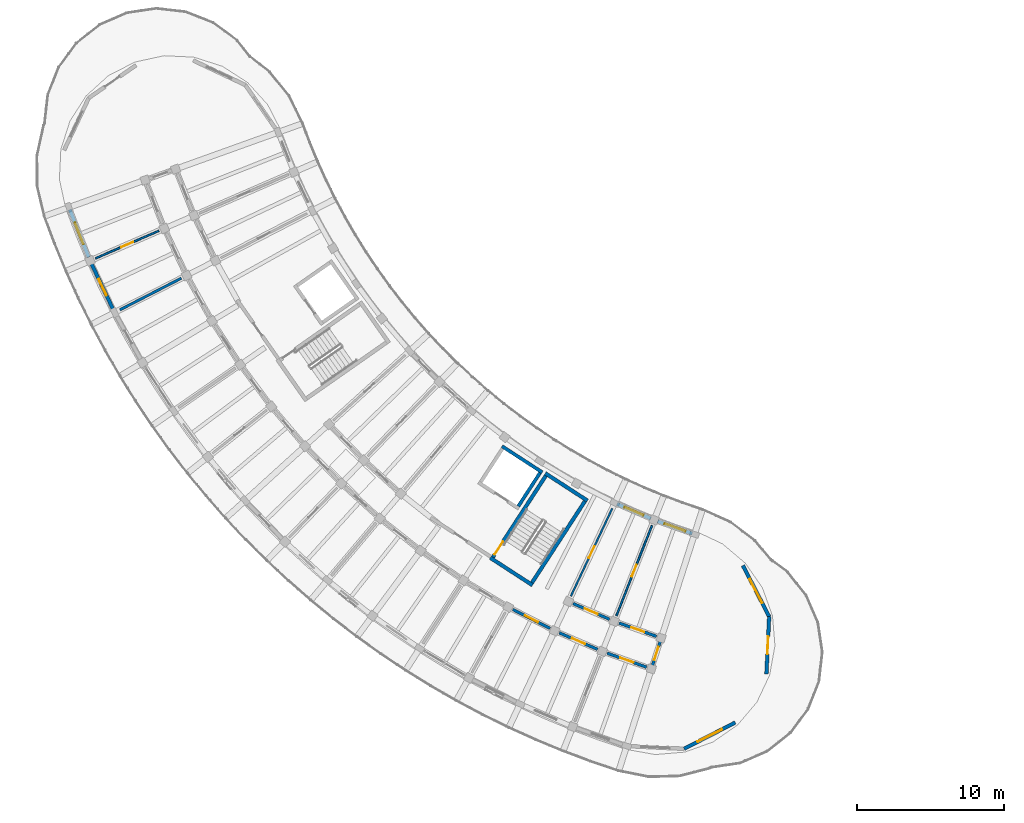
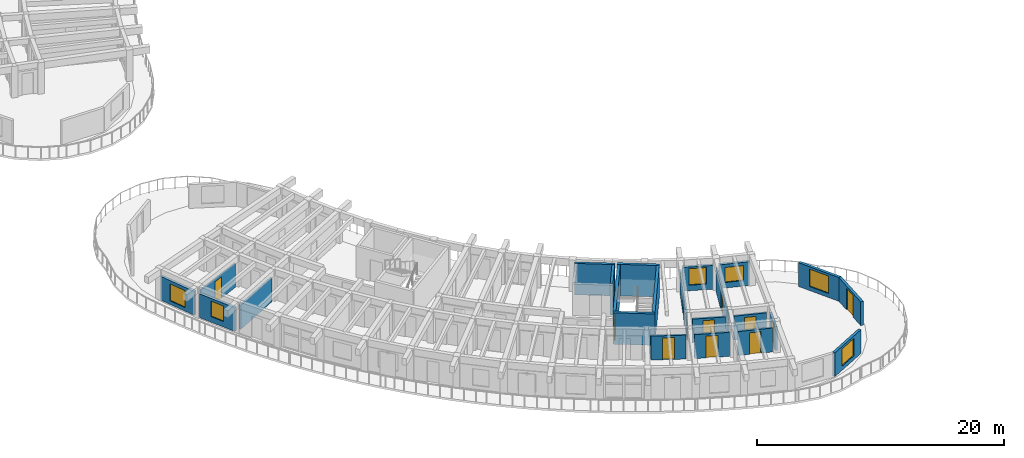
# One storey, part 39 of 78: 23 walls, 11 doors, 6 windows, 17 openings.
"""IFC4 building model written with IfcOpenShell, lengths in metres."""

from ifc_helpers import new_model, si_unit, direction, frame, frame_2d, origin, place, context, subcontext, project, spatial, rectangle, extrude, material, layer, layer_set, type_object, element, fill, save


model = new_model("IFC4")

# Units and contexts
model_context = context("Model", 3, precision=1e-05, world=origin(), true_north=direction((0.0, 1.0)))
body_context = subcontext(model_context, "Body", "Model", "MODEL_VIEW")
ifc_project = project(units=[si_unit("LENGTHUNIT", "METRE"), si_unit("AREAUNIT", "SQUARE_METRE"), si_unit("VOLUMEUNIT", "CUBIC_METRE"), si_unit("PLANEANGLEUNIT", "RADIAN"), si_unit("MASSUNIT", "GRAM", prefix="KILO")], contexts=[model_context])

# Site, building, storey
site_placement = place(None, origin())
site = spatial("IfcSite", under=ifc_project, at=site_placement, CompositionType="ELEMENT")
building_placement = place(site_placement, origin())
building = spatial("IfcBuilding", under=site, at=building_placement, Name="Tanwirah Colonnade Gardens", CompositionType="ELEMENT")
storey_placement = place(building_placement, frame((0.0, 0.0, 22.280029296875)))
storey = spatial("IfcBuildingStorey", under=building, at=storey_placement, Name="L06", CompositionType="ELEMENT", Elevation=22.280029296875)

# Wall, opening, window
ifc_material_1 = material(Name="Limestone architectural precast concrete C40/50", Category="masonry")
ifc_layer_1 = layer(ifc_material_1, 0.2451171875)
ifc_layer_set_1 = layer_set([ifc_layer_1], Name="Limestone architectural precast concrete C40/50")
wall_type_1 = type_object("IfcWallType", Name="EW-PC245", PredefinedType="SOLIDWALL", material=ifc_layer_set_1)
wall_1_placement = place(storey_placement, frame((9.011962890625, 44.228271484375, 0.0), z_axis=(0.0, 0.0, 1.0), x_axis=(0.368503667074, -0.929626294461, 0.0)))
wall_1 = element("IfcWall", 1, at=wall_1_placement, inside=storey, type_object=wall_type_1, Name="Block C L06 OUT Precast Facade Wall 1", PredefinedType="SOLIDWALL", context=body_context, shape_type="SweptSolid", body=[
    extrude(rectangle(XDim=3.48681640625, YDim=0.2451171875, at=frame_2d((1.743408203125, 0.0))), origin(), (0.0, 0.0, 1.0), 2.35498046875),
])
opening_1_placement = place(wall_1_placement, frame((0.953369140625, 0.0, 0.35009765625)))
opening_1 = element("IfcOpeningElement", 2, at=opening_1_placement, cuts=wall_1, Name="Opening WIN-T20", PredefinedType="OPENING", context=body_context, shape_type="SweptSolid", body=[
    extrude(rectangle(XDim=1.580078125, YDim=1.679931640625, at=frame_2d((0.7900390625, 0.83984375))), frame((0.0, 0.132568359375, 0.0), z_axis=(0.0, -1.0, 0.0), x_axis=(1.0, 0.0, 0.0)), (0.0, 0.0, 1.0), 0.26513671875),
])
ifc_material_2 = material(Name="Thermally broken bronze aluminium and solar low-E double glazing", Category="aluminium")
window_type_1 = type_object("IfcWindowType", Name="WIN-T20", PartitioningType="DOUBLE_PANEL_VERTICAL", PredefinedType="WINDOW", material=ifc_material_2)
window_1_placement = place(opening_1_placement, origin())
window_1 = element("IfcWindow", 3, at=window_1_placement, inside=storey, type_object=window_type_1, Name="Facade window C-L06-OUT-01", OverallHeight=1.679931640625, OverallWidth=1.580078125, PartitioningType="SINGLE_PANEL", PredefinedType="WINDOW", context=body_context, shape_type="SweptSolid", body=[
    extrude(rectangle(XDim=1.580078125, YDim=1.679931640625, at=frame_2d((0.7900390625, 0.83984375))), frame((0.0, 0.030029296875, 0.0), z_axis=(0.0, -1.0, 0.0), x_axis=(1.0, 0.0, 0.0)), (0.0, 0.0, 1.0), 0.06005859375),
])
fill(opening_1, window_1)

wall_2_placement = place(storey_placement, frame((10.49609375, 40.528564453125, 0.0), z_axis=(0.0, 0.0, 1.0), x_axis=(0.428576879122, -0.903505317462, 0.0)))
wall_2 = element("IfcWall", 4, at=wall_2_placement, inside=storey, type_object=wall_type_1, Name="Block C L06 OUT Precast Facade Wall 2", PredefinedType="SOLIDWALL", context=body_context, shape_type="SweptSolid", body=[
    extrude(rectangle(XDim=3.48681640625, YDim=0.2451171875, at=frame_2d((1.743408203125, 0.0))), origin(), (0.0, 0.0, 1.0), 2.35498046875),
])
opening_2_placement = place(wall_2_placement, frame((1.123291015625, 0.0, 0.550048828125)))
opening_2 = element("IfcOpeningElement", 5, at=opening_2_placement, cuts=wall_2, Name="Opening WIN-U03", PredefinedType="OPENING", context=body_context, shape_type="SweptSolid", body=[
    extrude(rectangle(XDim=1.239990234375, YDim=1.534912109375, at=frame_2d((0.6201171875, 0.767578125))), frame((0.0, 0.132568359375, 0.0), z_axis=(0.0, -1.0, 0.0), x_axis=(1.0, 0.0, 0.0)), (0.0, 0.0, 1.0), 0.26513671875),
])
window_type_2 = type_object("IfcWindowType", Name="WIN-U03", PartitioningType="DOUBLE_PANEL_VERTICAL", PredefinedType="WINDOW", material=ifc_material_2)
window_2_placement = place(opening_2_placement, origin())
window_2 = element("IfcWindow", 6, at=window_2_placement, inside=storey, type_object=window_type_2, Name="Facade window C-L06-OUT-02", OverallHeight=1.534912109375, OverallWidth=1.239990234375, PartitioningType="SINGLE_PANEL", PredefinedType="WINDOW", context=body_context, shape_type="SweptSolid", body=[
    extrude(rectangle(XDim=1.239990234375, YDim=1.534912109375, at=frame_2d((0.6201171875, 0.767578125))), frame((0.0, 0.030029296875, 0.0), z_axis=(0.0, -1.0, 0.0), x_axis=(1.0, 0.0, 0.0)), (0.0, 0.0, 1.0), 0.06005859375),
])
fill(opening_2, window_2)

wall_3_placement = place(storey_placement, frame((46.185791015625, 24.2333984375, 0.0), z_axis=(0.0, 0.0, 1.0), x_axis=(0.91795321239, -0.396688668686, 0.0)))
wall_3 = element("IfcWall", 7, at=wall_3_placement, inside=storey, type_object=wall_type_1, Name="Block C L06 IN Precast Facade Wall 13", PredefinedType="SOLIDWALL", context=body_context, shape_type="SweptSolid", body=[
    extrude(rectangle(XDim=2.498779296875, YDim=0.2451171875, at=frame_2d((1.24951171875, 0.0))), origin(), (0.0, 0.0, 1.0), 2.35498046875),
])
opening_3_placement = place(wall_3_placement, frame((0.54931640625, 0.0, 0.550048828125)))
opening_3 = element("IfcOpeningElement", 8, at=opening_3_placement, cuts=wall_3, Name="Opening WIN-U07", PredefinedType="OPENING", context=body_context, shape_type="SweptSolid", body=[
    extrude(rectangle(XDim=1.39990234375, YDim=1.635009765625, at=frame_2d((0.699951171875, 0.8173828125))), frame((0.0, 0.132568359375, 0.0), z_axis=(0.0, -1.0, 0.0), x_axis=(1.0, 0.0, 0.0)), (0.0, 0.0, 1.0), 0.26513671875),
])
window_type_3 = type_object("IfcWindowType", Name="WIN-U07", PartitioningType="DOUBLE_PANEL_VERTICAL", PredefinedType="WINDOW", material=ifc_material_2)
window_3_placement = place(opening_3_placement, origin())
window_3 = element("IfcWindow", 9, at=window_3_placement, inside=storey, type_object=window_type_3, Name="Facade window C-L06-IN-13", OverallHeight=1.635009765625, OverallWidth=1.39990234375, PartitioningType="SINGLE_PANEL", PredefinedType="WINDOW", context=body_context, shape_type="SweptSolid", body=[
    extrude(rectangle(XDim=1.39990234375, YDim=1.635009765625, at=frame_2d((0.699951171875, 0.8173828125))), frame((0.0, 0.030029296875, 0.0), z_axis=(0.0, -1.0, 0.0), x_axis=(1.0, 0.0, 0.0)), (0.0, 0.0, 1.0), 0.06005859375),
])
fill(opening_3, window_3)

wall_4_placement = place(storey_placement, frame((48.944580078125, 23.05908203125, 0.0), z_axis=(0.0, 0.0, 1.0), x_axis=(0.941892135469, -0.33591547321, 0.0)))
wall_4 = element("IfcWall", 10, at=wall_4_placement, inside=storey, type_object=wall_type_1, Name="Block C L06 IN Precast Facade Wall 14", PredefinedType="SOLIDWALL", context=body_context, shape_type="SweptSolid", body=[
    extrude(rectangle(XDim=2.498779296875, YDim=0.2451171875, at=frame_2d((1.24951171875, 0.0))), origin(), (0.0, 0.0, 1.0), 2.35498046875),
])
opening_4_placement = place(wall_4_placement, frame((0.489501953125, 0.0, 0.550048828125)))
opening_4 = element("IfcOpeningElement", 11, at=opening_4_placement, cuts=wall_4, Name="Opening WIN-U10", PredefinedType="OPENING", context=body_context, shape_type="SweptSolid", body=[
    extrude(rectangle(XDim=1.52001953125, YDim=1.485107421875, at=frame_2d((0.760009765625, 0.74267578125))), frame((0.0, 0.132568359375, 0.0), z_axis=(0.0, -1.0, 0.0), x_axis=(1.0, 0.0, 0.0)), (0.0, 0.0, 1.0), 0.26513671875),
])
window_type_4 = type_object("IfcWindowType", Name="WIN-U10", PartitioningType="DOUBLE_PANEL_VERTICAL", PredefinedType="WINDOW", material=ifc_material_2)
window_4_placement = place(opening_4_placement, origin())
window_4 = element("IfcWindow", 12, at=window_4_placement, inside=storey, type_object=window_type_4, Name="Facade window C-L06-IN-14", OverallHeight=1.485107421875, OverallWidth=1.52001953125, PartitioningType="SINGLE_PANEL", PredefinedType="WINDOW", context=body_context, shape_type="SweptSolid", body=[
    extrude(rectangle(XDim=1.52001953125, YDim=1.485107421875, at=frame_2d((0.760009765625, 0.74267578125))), frame((0.0, 0.030029296875, 0.0), z_axis=(0.0, -1.0, 0.0), x_axis=(1.0, 0.0, 0.0)), (0.0, 0.0, 1.0), 0.06005859375),
])
fill(opening_4, window_4)

wall_5_placement = place(storey_placement, frame((54.735595703125, 20.0517578125, 0.0), z_axis=(0.0, 0.0, 1.0), x_axis=(0.457901236663, -0.889003069434, 0.0)))
wall_5 = element("IfcWall", 13, at=wall_5_placement, inside=storey, type_object=wall_type_1, Name="Block C L06 END Rounded End Wall 1", PredefinedType="SOLIDWALL", context=body_context, shape_type="SweptSolid", body=[
    extrude(rectangle(XDim=3.908203125, YDim=0.2451171875, at=frame_2d((1.9541015625, 0.0))), origin(), (0.0, 0.0, 1.0), 2.35498046875),
])
opening_5_placement = place(wall_5_placement, frame((1.029052734375, 0.0, 0.39990234375)))
opening_5 = element("IfcOpeningElement", 14, at=opening_5_placement, cuts=wall_5, Name="Opening WIN-END1", PredefinedType="OPENING", context=body_context, shape_type="SweptSolid", body=[
    extrude(rectangle(XDim=1.85009765625, YDim=1.719970703125, at=frame_2d((0.925048828125, 0.85986328125))), frame((0.0, 0.132568359375, 0.0), z_axis=(0.0, -1.0, 0.0), x_axis=(1.0, 0.0, 0.0)), (0.0, 0.0, 1.0), 0.26513671875),
])
window_type_5 = type_object("IfcWindowType", Name="WIN-END1", PartitioningType="TRIPLE_PANEL_VERTICAL", PredefinedType="WINDOW", material=ifc_material_2)
window_5_placement = place(opening_5_placement, origin())
window_5 = element("IfcWindow", 15, at=window_5_placement, inside=storey, type_object=window_type_5, Name="Rounded corner window C-L06-END-1", OverallHeight=1.719970703125, OverallWidth=1.85009765625, PartitioningType="SINGLE_PANEL", PredefinedType="WINDOW", context=body_context, shape_type="SweptSolid", body=[
    extrude(rectangle(XDim=1.85009765625, YDim=1.719970703125, at=frame_2d((0.925048828125, 0.85986328125))), frame((0.0, 0.030029296875, 0.0), z_axis=(0.0, -1.0, 0.0), x_axis=(1.0, 0.0, 0.0)), (0.0, 0.0, 1.0), 0.06005859375),
])
fill(opening_5, window_5)

# Wall, opening, door
wall_6_placement = place(storey_placement, frame((56.525146484375, 16.577392578125, 0.0), z_axis=(0.0, 0.0, 1.0), x_axis=(-0.047974714619, -0.998848550461, 0.0)))
wall_6 = element("IfcWall", 16, at=wall_6_placement, inside=storey, type_object=wall_type_1, Name="Block C L06 END Rounded End Wall 2", PredefinedType="SOLIDWALL", context=body_context, shape_type="SweptSolid", body=[
    extrude(rectangle(XDim=3.908203125, YDim=0.2451171875, at=frame_2d((1.9541015625, 0.0))), origin(), (0.0, 0.0, 1.0), 2.35498046875),
])
opening_6_placement = place(wall_6_placement, frame((1.35400390625, 0.0, 0.0)))
opening_6 = element("IfcOpeningElement", 17, at=opening_6_placement, cuts=wall_6, Name="Opening L06-ED158", PredefinedType="OPENING", context=body_context, shape_type="SweptSolid", body=[
    extrude(rectangle(XDim=1.199951171875, YDim=2.14990234375, at=frame_2d((0.60009765625, 1.074951171875))), frame((0.0, 0.132568359375, 0.0), z_axis=(0.0, -1.0, 0.0), x_axis=(1.0, 0.0, 0.0)), (0.0, 0.0, 1.0), 0.26513671875),
])
ifc_material_3 = material(Name="Bronze aluminium glazed terrace door", Category="aluminium")
door_type_1 = type_object("IfcDoorType", Name="ED-TER120", OperationType="NOTDEFINED", PredefinedType="DOOR", material=ifc_material_3)
door_1_placement = place(opening_6_placement, origin())
door_1 = element("IfcDoor", 18, at=door_1_placement, inside=storey, type_object=door_type_1, Name="Stepped corner terrace door L06-ED158", OperationType="SINGLE_SWING_LEFT", OverallHeight=2.14990234375, OverallWidth=1.199951171875, PredefinedType="DOOR", context=body_context, shape_type="SweptSolid", body=[
    extrude(rectangle(XDim=1.199951171875, YDim=2.14990234375, at=frame_2d((0.60009765625, 1.074951171875))), frame((0.0, 0.02490234375, 0.0), z_axis=(0.0, -1.0, 0.0), x_axis=(1.0, 0.0, 0.0)), (0.0, 0.0, 1.0), 0.050048828125),
])
fill(opening_6, door_1)

# Wall, opening, window
wall_7_placement = place(storey_placement, frame((54.223388671875, 9.38671875, 0.0), z_axis=(0.0, 0.0, 1.0), x_axis=(-0.889028498589, -0.457851863267, 0.0)))
wall_7 = element("IfcWall", 19, at=wall_7_placement, inside=storey, type_object=wall_type_1, Name="Block C L06 END Rounded End Wall 4", PredefinedType="SOLIDWALL", context=body_context, shape_type="SweptSolid", body=[
    extrude(rectangle(XDim=3.907958984375, YDim=0.2451171875, at=frame_2d((1.9541015625, 0.0))), origin(), (0.0, 0.0, 1.0), 2.35498046875),
])
opening_7_placement = place(wall_7_placement, frame((1.029052734375, 0.0, 0.39990234375)))
opening_7 = element("IfcOpeningElement", 20, at=opening_7_placement, cuts=wall_7, Name="Opening WIN-END1", PredefinedType="OPENING", context=body_context, shape_type="SweptSolid", body=[
    extrude(rectangle(XDim=1.85009765625, YDim=1.719970703125, at=frame_2d((0.925048828125, 0.85986328125))), frame((0.0, 0.132568359375, 0.0), z_axis=(0.0, -1.0, 0.0), x_axis=(1.0, 0.0, 0.0)), (0.0, 0.0, 1.0), 0.26513671875),
])
window_6_placement = place(opening_7_placement, origin())
window_6 = element("IfcWindow", 21, at=window_6_placement, inside=storey, type_object=window_type_5, Name="Rounded corner window C-L06-END-4", OverallHeight=1.719970703125, OverallWidth=1.85009765625, PartitioningType="SINGLE_PANEL", PredefinedType="WINDOW", context=body_context, shape_type="SweptSolid", body=[
    extrude(rectangle(XDim=1.85009765625, YDim=1.719970703125, at=frame_2d((0.925048828125, 0.85986328125))), frame((0.0, 0.030029296875, 0.0), z_axis=(0.0, -1.0, 0.0), x_axis=(1.0, 0.0, 0.0)), (0.0, 0.0, 1.0), 0.06005859375),
])
fill(opening_7, window_6)

# Wall, opening, door
ifc_material_4 = material(Name="Precast concrete C40/50", Category="concrete")
ifc_layer_2 = layer(ifc_material_4, 0.195068359375)
ifc_layer_set_2 = layer_set([ifc_layer_2], Name="Precast concrete C40/50")
wall_type_2 = type_object("IfcWallType", Name="IW-CORR195", PredefinedType="PARTITIONING", material=ifc_layer_set_2)
wall_8_placement = place(storey_placement, frame((39.107421875, 17.067138671875, 0.0), z_axis=(0.0, 0.0, 1.0), x_axis=(0.890030590607, -0.45590080915, 0.0)))
wall_8 = element("IfcWall", 22, at=wall_8_placement, inside=storey, type_object=wall_type_2, Name="Block C L06 OUT Corridor Wall 12", PredefinedType="PARTITIONING", context=body_context, shape_type="SweptSolid", body=[
    extrude(rectangle(XDim=2.837158203125, YDim=0.195068359375, at=frame_2d((1.41845703125, 0.0))), origin(), (0.0, 0.0, 1.0), 2.369873046875),
])
opening_8_placement = place(wall_8_placement, frame((0.923583984375, 0.0, 0.0)))
opening_8 = element("IfcOpeningElement", 23, at=opening_8_placement, cuts=wall_8, Name="Opening L06-AD1529", PredefinedType="OPENING", context=body_context, shape_type="SweptSolid", body=[
    extrude(rectangle(XDim=0.989990234375, YDim=2.159912109375, at=frame_2d((0.4951171875, 1.080078125))), frame((0.0, 0.107421875, 0.0), z_axis=(0.0, -1.0, 0.0), x_axis=(1.0, 0.0, 0.0)), (0.0, 0.0, 1.0), 0.215087890625),
])
ifc_material_5 = material(Name="Solid oak fire-resisting apartment entrance door")
door_type_2 = type_object("IfcDoorType", Name="ID-FLT099", OperationType="NOTDEFINED", PredefinedType="DOOR", material=ifc_material_5)
door_2_placement = place(opening_8_placement, origin())
door_2 = element("IfcDoor", 24, at=door_2_placement, inside=storey, type_object=door_type_2, Name="Apartment corridor door L06-AD1529", OperationType="SINGLE_SWING_LEFT", OverallHeight=2.159912109375, OverallWidth=0.989990234375, PredefinedType="DOOR", context=body_context, shape_type="SweptSolid", body=[
    extrude(rectangle(XDim=0.989990234375, YDim=2.159912109375, at=frame_2d((0.4951171875, 1.080078125))), frame((0.0, 0.02490234375, 0.0), z_axis=(0.0, -1.0, 0.0), x_axis=(1.0, 0.0, 0.0)), (0.0, 0.0, 1.0), 0.050048828125),
])
fill(opening_8, door_2)

wall_9_placement = place(storey_placement, frame((42.26513671875, 15.475341796875, 0.0), z_axis=(0.0, 0.0, 1.0), x_axis=(0.917943439406, -0.396711282991, 0.0)))
wall_9 = element("IfcWall", 25, at=wall_9_placement, inside=storey, type_object=wall_type_2, Name="Block C L06 OUT Corridor Wall 13", PredefinedType="PARTITIONING", context=body_context, shape_type="SweptSolid", body=[
    extrude(rectangle(XDim=2.837158203125, YDim=0.195068359375, at=frame_2d((1.41845703125, 0.0))), origin(), (0.0, 0.0, 1.0), 2.369873046875),
])
opening_9_placement = place(wall_9_placement, frame((0.93359375, 0.0, 0.0)))
opening_9 = element("IfcOpeningElement", 26, at=opening_9_placement, cuts=wall_9, Name="Opening L06-AD1531", PredefinedType="OPENING", context=body_context, shape_type="SweptSolid", body=[
    extrude(rectangle(XDim=0.969970703125, YDim=2.14990234375, at=frame_2d((0.48486328125, 1.074951171875))), frame((0.0, 0.107421875, 0.0), z_axis=(0.0, -1.0, 0.0), x_axis=(1.0, 0.0, 0.0)), (0.0, 0.0, 1.0), 0.215087890625),
])
door_type_3 = type_object("IfcDoorType", Name="ID-FLT097", OperationType="NOTDEFINED", PredefinedType="DOOR", material=ifc_material_5)
door_3_placement = place(opening_9_placement, origin())
door_3 = element("IfcDoor", 27, at=door_3_placement, inside=storey, type_object=door_type_3, Name="Apartment corridor door L06-AD1531", OperationType="SINGLE_SWING_RIGHT", OverallHeight=2.14990234375, OverallWidth=0.969970703125, PredefinedType="DOOR", context=body_context, shape_type="SweptSolid", body=[
    extrude(rectangle(XDim=0.969970703125, YDim=2.14990234375, at=frame_2d((0.48486328125, 1.074951171875))), frame((0.0, 0.02490234375, 0.0), z_axis=(0.0, -1.0, 0.0), x_axis=(1.0, 0.0, 0.0)), (0.0, 0.0, 1.0), 0.050048828125),
])
fill(opening_9, door_3)

wall_10_placement = place(storey_placement, frame((43.20361328125, 17.465087890625, 0.0), z_axis=(0.0, 0.0, 1.0), x_axis=(0.91793557165, -0.39672948756, 0.0)))
wall_10 = element("IfcWall", 28, at=wall_10_placement, inside=storey, type_object=wall_type_2, Name="Block C L06 IN Corridor Wall 13", PredefinedType="PARTITIONING", context=body_context, shape_type="SweptSolid", body=[
    extrude(rectangle(XDim=2.69287109375, YDim=0.195068359375, at=frame_2d((1.346435546875, 0.0))), origin(), (0.0, 0.0, 1.0), 2.369873046875),
])
opening_10_placement = place(wall_10_placement, frame((0.861572265625, 0.0, 0.0)))
opening_10 = element("IfcOpeningElement", 29, at=opening_10_placement, cuts=wall_10, Name="Opening L06-AD1532", PredefinedType="OPENING", context=body_context, shape_type="SweptSolid", body=[
    extrude(rectangle(XDim=0.969970703125, YDim=2.14990234375, at=frame_2d((0.48486328125, 1.074951171875))), frame((0.0, 0.107421875, 0.0), z_axis=(0.0, -1.0, 0.0), x_axis=(1.0, 0.0, 0.0)), (0.0, 0.0, 1.0), 0.215087890625),
])
door_4_placement = place(opening_10_placement, origin())
door_4 = element("IfcDoor", 30, at=door_4_placement, inside=storey, type_object=door_type_3, Name="Apartment corridor door L06-AD1532", OperationType="SINGLE_SWING_LEFT", OverallHeight=2.14990234375, OverallWidth=0.969970703125, PredefinedType="DOOR", context=body_context, shape_type="SweptSolid", body=[
    extrude(rectangle(XDim=0.969970703125, YDim=2.14990234375, at=frame_2d((0.48486328125, 1.074951171875))), frame((0.0, 0.02490234375, 0.0), z_axis=(0.0, -1.0, 0.0), x_axis=(1.0, 0.0, 0.0)), (0.0, 0.0, 1.0), 0.050048828125),
])
fill(opening_10, door_4)

wall_11_placement = place(storey_placement, frame((45.520263671875, 14.09326171875, 0.0), z_axis=(0.0, 0.0, 1.0), x_axis=(0.941930628611, -0.335807520589, 0.0)))
wall_11 = element("IfcWall", 31, at=wall_11_placement, inside=storey, type_object=wall_type_2, Name="Block C L06 OUT Corridor Wall 14", PredefinedType="PARTITIONING", context=body_context, shape_type="SweptSolid", body=[
    extrude(rectangle(XDim=2.8369140625, YDim=0.195068359375, at=frame_2d((1.41845703125, 0.0))), origin(), (0.0, 0.0, 1.0), 2.369873046875),
])
opening_11_placement = place(wall_11_placement, frame((0.943603515625, 0.0, 0.0)))
opening_11 = element("IfcOpeningElement", 32, at=opening_11_placement, cuts=wall_11, Name="Opening L06-AD1535", PredefinedType="OPENING", context=body_context, shape_type="SweptSolid", body=[
    extrude(rectangle(XDim=0.949951171875, YDim=2.1298828125, at=frame_2d((0.47509765625, 1.06494140625))), frame((0.0, 0.107421875, 0.0), z_axis=(0.0, -1.0, 0.0), x_axis=(1.0, 0.0, 0.0)), (0.0, 0.0, 1.0), 0.215087890625),
])
door_type_4 = type_object("IfcDoorType", Name="ID-FLT095", OperationType="NOTDEFINED", PredefinedType="DOOR", material=ifc_material_5)
door_5_placement = place(opening_11_placement, origin())
door_5 = element("IfcDoor", 33, at=door_5_placement, inside=storey, type_object=door_type_4, Name="Apartment corridor door L06-AD1535", OperationType="SINGLE_SWING_LEFT", OverallHeight=2.1298828125, OverallWidth=0.949951171875, PredefinedType="DOOR", context=body_context, shape_type="SweptSolid", body=[
    extrude(rectangle(XDim=0.949951171875, YDim=2.1298828125, at=frame_2d((0.47509765625, 1.06494140625))), frame((0.0, 0.02490234375, 0.0), z_axis=(0.0, -1.0, 0.0), x_axis=(1.0, 0.0, 0.0)), (0.0, 0.0, 1.0), 0.050048828125),
])
fill(opening_11, door_5)

wall_12_placement = place(storey_placement, frame((46.32666015625, 16.140380859375, 0.0), z_axis=(0.0, 0.0, 1.0), x_axis=(0.941895652647, -0.335905611036, 0.0)))
wall_12 = element("IfcWall", 34, at=wall_12_placement, inside=storey, type_object=wall_type_2, Name="Block C L06 IN Corridor Wall 14", PredefinedType="PARTITIONING", context=body_context, shape_type="SweptSolid", body=[
    extrude(rectangle(XDim=2.69287109375, YDim=0.195068359375, at=frame_2d((1.346435546875, 0.0))), origin(), (0.0, 0.0, 1.0), 2.369873046875),
])
opening_12_placement = place(wall_12_placement, frame((0.87158203125, 0.0, 0.0)))
opening_12 = element("IfcOpeningElement", 35, at=opening_12_placement, cuts=wall_12, Name="Opening L06-AD1536", PredefinedType="OPENING", context=body_context, shape_type="SweptSolid", body=[
    extrude(rectangle(XDim=0.949951171875, YDim=2.1298828125, at=frame_2d((0.47509765625, 1.06494140625))), frame((0.0, 0.107421875, 0.0), z_axis=(0.0, -1.0, 0.0), x_axis=(1.0, 0.0, 0.0)), (0.0, 0.0, 1.0), 0.215087890625),
])
door_6_placement = place(opening_12_placement, origin())
door_6 = element("IfcDoor", 36, at=door_6_placement, inside=storey, type_object=door_type_4, Name="Apartment corridor door L06-AD1536", OperationType="SINGLE_SWING_RIGHT", OverallHeight=2.1298828125, OverallWidth=0.949951171875, PredefinedType="DOOR", context=body_context, shape_type="SweptSolid", body=[
    extrude(rectangle(XDim=0.949951171875, YDim=2.1298828125, at=frame_2d((0.47509765625, 1.06494140625))), frame((0.0, 0.02490234375, 0.0), z_axis=(0.0, -1.0, 0.0), x_axis=(1.0, 0.0, 0.0)), (0.0, 0.0, 1.0), 0.050048828125),
])
fill(opening_12, door_6)

wall_13_placement = place(storey_placement, frame((49.177490234375, 15.070556640625, 0.0), z_axis=(0.0, 0.0, 1.0), x_axis=(-0.304834784779, -0.952405246725, 0.0)))
wall_13 = element("IfcWall", 37, at=wall_13_placement, inside=storey, type_object=wall_type_2, Name="Block C L06 CE Corner Suite Corridor Wall", PredefinedType="PARTITIONING", context=body_context, shape_type="SweptSolid", body=[
    extrude(rectangle(XDim=2.099853515625, YDim=0.195068359375, at=frame_2d((1.0498046875, 0.0))), origin(), (0.0, 0.0, 1.0), 2.369873046875),
])
opening_13_placement = place(wall_13_placement, frame((0.570068359375, 0.0, 0.0)))
opening_13 = element("IfcOpeningElement", 38, at=opening_13_placement, cuts=wall_13, Name="Opening L06-CD1538", PredefinedType="OPENING", context=body_context, shape_type="SweptSolid", body=[
    extrude(rectangle(XDim=0.949951171875, YDim=2.1298828125, at=frame_2d((0.47509765625, 1.06494140625))), frame((0.0, 0.107421875, 0.0), z_axis=(0.0, -1.0, 0.0), x_axis=(1.0, 0.0, 0.0)), (0.0, 0.0, 1.0), 0.215087890625),
])
door_7_placement = place(opening_13_placement, origin())
door_7 = element("IfcDoor", 39, at=door_7_placement, inside=storey, type_object=door_type_4, Name="Corner suite entrance door L06-CD1538", OperationType="SINGLE_SWING_RIGHT", OverallHeight=2.1298828125, OverallWidth=0.949951171875, PredefinedType="DOOR", context=body_context, shape_type="SweptSolid", body=[
    extrude(rectangle(XDim=0.949951171875, YDim=2.1298828125, at=frame_2d((0.47509765625, 1.06494140625))), frame((0.0, 0.02490234375, 0.0), z_axis=(0.0, -1.0, 0.0), x_axis=(1.0, 0.0, 0.0)), (0.0, 0.0, 1.0), 0.050048828125),
])
fill(opening_13, door_7)

# Wall
ifc_layer_3 = layer(ifc_material_4, 0.175048828125)
ifc_layer_set_3 = layer_set([ifc_layer_3], Name="Precast concrete C40/50")
wall_type_3 = type_object("IfcWallType", Name="IW-DEM175", PredefinedType="PARTITIONING", material=ifc_layer_set_3)
wall_14_placement = place(storey_placement, frame((16.593017578125, 39.56884765625, 0.0), z_axis=(0.0, 0.0, 1.0), x_axis=(-0.889013002038, -0.457881952262, 0.0)))
element("IfcWall", 40, at=wall_14_placement, inside=storey, type_object=wall_type_3, Name="Block C L06 Radial Partition 2", PredefinedType="PARTITIONING", context=body_context, shape_type="SweptSolid", body=[
    extrude(rectangle(XDim=4.7001953125, YDim=0.175048828125, at=frame_2d((2.35009765625, 0.0))), origin(), (0.0, 0.0, 1.0), 2.369873046875),
])

# Wall, opening, door
ifc_material_6 = material(Name="Moisture-resistant gypsum stud partition")
ifc_layer_4 = layer(ifc_material_6, 0.125)
ifc_layer_set_4 = layer_set([ifc_layer_4], Name="Moisture-resistant gypsum stud partition")
wall_type_4 = type_object("IfcWallType", Name="IW-INT125", PredefinedType="PARTITIONING", material=ifc_layer_set_4)
wall_15_placement = place(storey_placement, frame((15.066162109375, 42.7880859375, 0.0), z_axis=(0.0, 0.0, 1.0), x_axis=(-0.917071707884, -0.398722312643, 0.0)))
wall_15 = element("IfcWall", 41, at=wall_15_placement, inside=storey, type_object=wall_type_4, Name="Block C L06 Radial Partition 1", PredefinedType="PARTITIONING", context=body_context, shape_type="SweptSolid", body=[
    extrude(rectangle(XDim=4.699951171875, YDim=0.125, at=frame_2d((2.35009765625, 0.0))), origin(), (0.0, 0.0, 1.0), 2.369873046875),
])
opening_14_placement = place(wall_15_placement, frame((1.905029296875, 0.0, 0.0)))
opening_14 = element("IfcOpeningElement", 42, at=opening_14_placement, cuts=wall_15, Name="Opening L06-RD1507", PredefinedType="OPENING", context=body_context, shape_type="SweptSolid", body=[
    extrude(rectangle(XDim=0.889892578125, YDim=2.10009765625, at=frame_2d((0.44482421875, 1.050048828125))), frame((0.0, 0.072509765625, 0.0), z_axis=(0.0, -1.0, 0.0), x_axis=(1.0, 0.0, 0.0)), (0.0, 0.0, 1.0), 0.14501953125),
])
ifc_material_7 = material(Name="Painted hardwood bedroom door", Category="wood")
door_type_5 = type_object("IfcDoorType", Name="ID-RM089", OperationType="NOTDEFINED", PredefinedType="DOOR", material=ifc_material_7)
door_8_placement = place(opening_14_placement, origin())
door_8 = element("IfcDoor", 43, at=door_8_placement, inside=storey, type_object=door_type_5, Name="Internal apartment door L06-RD1507", OperationType="SINGLE_SWING_RIGHT", OverallHeight=2.10009765625, OverallWidth=0.889892578125, PredefinedType="DOOR", context=body_context, shape_type="SweptSolid", body=[
    extrude(rectangle(XDim=0.889892578125, YDim=2.10009765625, at=frame_2d((0.44482421875, 1.050048828125))), frame((0.0, 0.02490234375, 0.0), z_axis=(0.0, -1.0, 0.0), x_axis=(1.0, 0.0, 0.0)), (0.0, 0.0, 1.0), 0.050048828125),
])
fill(opening_14, door_8)

wall_16_placement = place(storey_placement, frame((45.868408203125, 23.935302734375, 0.0), z_axis=(0.0, 0.0, 1.0), x_axis=(-0.426573573579, -0.904452865728, 0.0)))
wall_16 = element("IfcWall", 44, at=wall_16_placement, inside=storey, type_object=wall_type_4, Name="Block C L06 Inner Radial Partition 12", PredefinedType="PARTITIONING", context=body_context, shape_type="SweptSolid", body=[
    extrude(rectangle(XDim=6.60009765625, YDim=0.125, at=frame_2d((3.300048828125, 0.0))), origin(), (0.0, 0.0, 1.0), 2.369873046875),
])
opening_15_placement = place(wall_16_placement, frame((2.85498046875, 0.0, 0.0)))
opening_15 = element("IfcOpeningElement", 45, at=opening_15_placement, cuts=wall_16, Name="Opening L06-RD1530", PredefinedType="OPENING", context=body_context, shape_type="SweptSolid", body=[
    extrude(rectangle(XDim=0.889892578125, YDim=2.10009765625, at=frame_2d((0.44482421875, 1.050048828125))), frame((0.0, 0.072509765625, 0.0), z_axis=(0.0, -1.0, 0.0), x_axis=(1.0, 0.0, 0.0)), (0.0, 0.0, 1.0), 0.14501953125),
])
door_9_placement = place(opening_15_placement, origin())
door_9 = element("IfcDoor", 46, at=door_9_placement, inside=storey, type_object=door_type_5, Name="Internal apartment door L06-RD1530", OperationType="SINGLE_SWING_RIGHT", OverallHeight=2.10009765625, OverallWidth=0.889892578125, PredefinedType="DOOR", context=body_context, shape_type="SweptSolid", body=[
    extrude(rectangle(XDim=0.889892578125, YDim=2.10009765625, at=frame_2d((0.44482421875, 1.050048828125))), frame((0.0, 0.02490234375, 0.0), z_axis=(0.0, -1.0, 0.0), x_axis=(1.0, 0.0, 0.0)), (0.0, 0.0, 1.0), 0.050048828125),
])
fill(opening_15, door_9)

wall_17_placement = place(storey_placement, frame((48.5625, 22.770751953125, 0.0), z_axis=(0.0, 0.0, 1.0), x_axis=(-0.366512873936, -0.930412979939, 0.0)))
wall_17 = element("IfcWall", 47, at=wall_17_placement, inside=storey, type_object=wall_type_4, Name="Block C L06 Inner Radial Partition 13", PredefinedType="PARTITIONING", context=body_context, shape_type="SweptSolid", body=[
    extrude(rectangle(XDim=6.599853515625, YDim=0.125, at=frame_2d((3.2998046875, 0.0))), origin(), (0.0, 0.0, 1.0), 2.369873046875),
])
opening_16_placement = place(wall_17_placement, frame((2.864990234375, 0.0, 0.0)))
opening_16 = element("IfcOpeningElement", 48, at=opening_16_placement, cuts=wall_17, Name="Opening L06-RD1534", PredefinedType="OPENING", context=body_context, shape_type="SweptSolid", body=[
    extrude(rectangle(XDim=0.8701171875, YDim=2.080078125, at=frame_2d((0.43505859375, 1.0400390625))), frame((0.0, 0.072509765625, 0.0), z_axis=(0.0, -1.0, 0.0), x_axis=(1.0, 0.0, 0.0)), (0.0, 0.0, 1.0), 0.14501953125),
])
ifc_material_8 = material(Name="Painted hardwood study door", Category="wood")
door_type_6 = type_object("IfcDoorType", Name="ID-RM087", OperationType="NOTDEFINED", PredefinedType="DOOR", material=ifc_material_8)
door_10_placement = place(opening_16_placement, origin())
door_10 = element("IfcDoor", 49, at=door_10_placement, inside=storey, type_object=door_type_6, Name="Internal apartment door L06-RD1534", OperationType="SINGLE_SWING_LEFT", OverallHeight=2.080078125, OverallWidth=0.8701171875, PredefinedType="DOOR", context=body_context, shape_type="SweptSolid", body=[
    extrude(rectangle(XDim=0.8701171875, YDim=2.080078125, at=frame_2d((0.43505859375, 1.0400390625))), frame((0.0, 0.02490234375, 0.0), z_axis=(0.0, -1.0, 0.0), x_axis=(1.0, 0.0, 0.0)), (0.0, 0.0, 1.0), 0.050048828125),
])
fill(opening_16, door_10)

# Walls
ifc_material_9 = material(Name="Concrete C45/55", Category="concrete")
ifc_layer_5 = layer(ifc_material_9, 0.25)
ifc_layer_set_5 = layer_set([ifc_layer_5], Name="Concrete C45/55")
wall_type_5 = type_object("IfcWallType", Name="SW-CORE250", PredefinedType="SHEAR", material=ifc_layer_set_5)
wall_18_placement = place(storey_placement, frame((40.412841796875, 18.881591796875, 0.0), z_axis=(0.0, 0.0, 1.0), x_axis=(0.544629435258, 0.838676802022, 0.0)))
element("IfcWall", 50, at=wall_18_placement, inside=storey, type_object=wall_type_5, Name="CORE-C2 L06 Stair Shaft Shear Wall LEFT", PredefinedType="SHEAR", context=body_context, shape_type="SweptSolid", body=[
    extrude(rectangle(XDim=6.599853515625, YDim=0.25, at=frame_2d((3.2998046875, 0.0))), origin(), (0.0, 0.0, 1.0), 3.10986328125),
])
wall_19_placement = place(storey_placement, frame((44.180419921875, 24.45361328125, 0.0), z_axis=(0.0, 0.0, 1.0), x_axis=(-0.838699580527, 0.544594356953, 0.0)))
element("IfcWall", 51, at=wall_19_placement, inside=storey, type_object=wall_type_5, Name="CORE-C2 L06 Stair Shaft Shear Wall FAR", PredefinedType="SHEAR", context=body_context, shape_type="SweptSolid", body=[
    extrude(rectangle(XDim=3.420166015625, YDim=0.25, at=frame_2d((1.7099609375, 0.0))), origin(), (0.0, 0.0, 1.0), 3.10986328125),
])
wall_20_placement = place(storey_placement, frame((40.449462890625, 18.708740234375, 0.0), z_axis=(0.0, 0.0, 1.0), x_axis=(-0.838678407117, 0.544626963559, 0.0)))
element("IfcWall", 52, at=wall_20_placement, inside=storey, type_object=wall_type_5, Name="CORE-C2 L06 Stair Shaft Shear Wall NEAR", PredefinedType="SHEAR", context=body_context, shape_type="SweptSolid", body=[
    extrude(rectangle(XDim=3.419921875, YDim=0.25, at=frame_2d((1.7099609375, 0.0))), origin(), (0.0, 0.0, 1.0), 3.10986328125),
])

# Wall, opening, door
wall_21_placement = place(storey_placement, frame((37.754150390625, 20.608154296875, 0.0), z_axis=(0.0, 0.0, 1.0), x_axis=(0.544655453679, 0.838659905312, 0.0)))
wall_21 = element("IfcWall", 53, at=wall_21_placement, inside=storey, type_object=wall_type_5, Name="CORE-C2 L06 Stair Shaft Shear Wall RIGHT", PredefinedType="SHEAR", context=body_context, shape_type="SweptSolid", body=[
    extrude(rectangle(XDim=6.60009765625, YDim=0.25, at=frame_2d((3.300048828125, 0.0))), origin(), (0.0, 0.0, 1.0), 3.10986328125),
])
opening_17_placement = place(wall_21_placement, frame((0.219970703125, 0.0, 0.0)))
opening_17 = element("IfcOpeningElement", 54, at=opening_17_placement, cuts=wall_21, Name="Opening L06-SD152", PredefinedType="OPENING", context=body_context, shape_type="SweptSolid", body=[
    extrude(rectangle(XDim=1.050048828125, YDim=2.14990234375, at=frame_2d((0.52490234375, 1.074951171875))), frame((0.0, 0.135009765625, 0.0), z_axis=(0.0, -1.0, 0.0), x_axis=(1.0, 0.0, 0.0)), (0.0, 0.0, 1.0), 0.27001953125),
])
ifc_material_10 = material(Name="Steel fire-resisting stair enclosure door", Category="steel")
door_type_7 = type_object("IfcDoorType", Name="ID-ST105", OperationType="NOTDEFINED", PredefinedType="DOOR", material=ifc_material_10)
door_11_placement = place(opening_17_placement, origin())
door_11 = element("IfcDoor", 55, at=door_11_placement, inside=storey, type_object=door_type_7, Name="CORE-C2 L06 Stair Fire Door L06-SD152", OperationType="SINGLE_SWING_LEFT", OverallHeight=2.14990234375, OverallWidth=1.050048828125, PredefinedType="DOOR", context=body_context, shape_type="SweptSolid", body=[
    extrude(rectangle(XDim=1.050048828125, YDim=2.14990234375, at=frame_2d((0.52490234375, 1.074951171875))), frame((0.0, 0.02490234375, 0.0), z_axis=(0.0, -1.0, 0.0), x_axis=(1.0, 0.0, 0.0)), (0.0, 0.0, 1.0), 0.050048828125),
])
fill(opening_17, door_11)

# Walls
ifc_layer_6 = layer(ifc_material_9, 0.22998046875)
ifc_layer_set_6 = layer_set([ifc_layer_6], Name="Concrete C45/55")
wall_type_6 = type_object("IfcWallType", Name="SW-LIFT230", PredefinedType="SHEAR", material=ifc_layer_set_6)
wall_22_placement = place(storey_placement, frame((41.111572265625, 26.374755859375, 0.0), z_axis=(0.0, 0.0, 1.0), x_axis=(-0.838638623546, 0.544688221919, 0.0)))
element("IfcWall", 56, at=wall_22_placement, inside=storey, type_object=wall_type_6, Name="CORE-C2 L06 Lift Shaft Wall BACK", PredefinedType="SHEAR", context=body_context, shape_type="SweptSolid", body=[
    extrude(rectangle(XDim=3.260009765625, YDim=0.22998046875, at=frame_2d((1.6298828125, 0.0))), origin(), (0.0, 0.0, 1.0), 3.10986328125),
])
wall_23_placement = place(storey_placement, frame((39.48193359375, 24.07666015625, 0.0), z_axis=(0.0, 0.0, 1.0), x_axis=(0.544686387605, 0.838639814913, 0.0)))
element("IfcWall", 57, at=wall_23_placement, inside=storey, type_object=wall_type_6, Name="CORE-C2 L06 Lift Shaft Wall SIDEA", PredefinedType="SHEAR", context=body_context, shape_type="SweptSolid", body=[
    extrude(rectangle(XDim=2.7001953125, YDim=0.22998046875, at=frame_2d((1.35009765625, 0.0))), origin(), (0.0, 0.0, 1.0), 3.10986328125),
])

save(model, "model.ifc")
